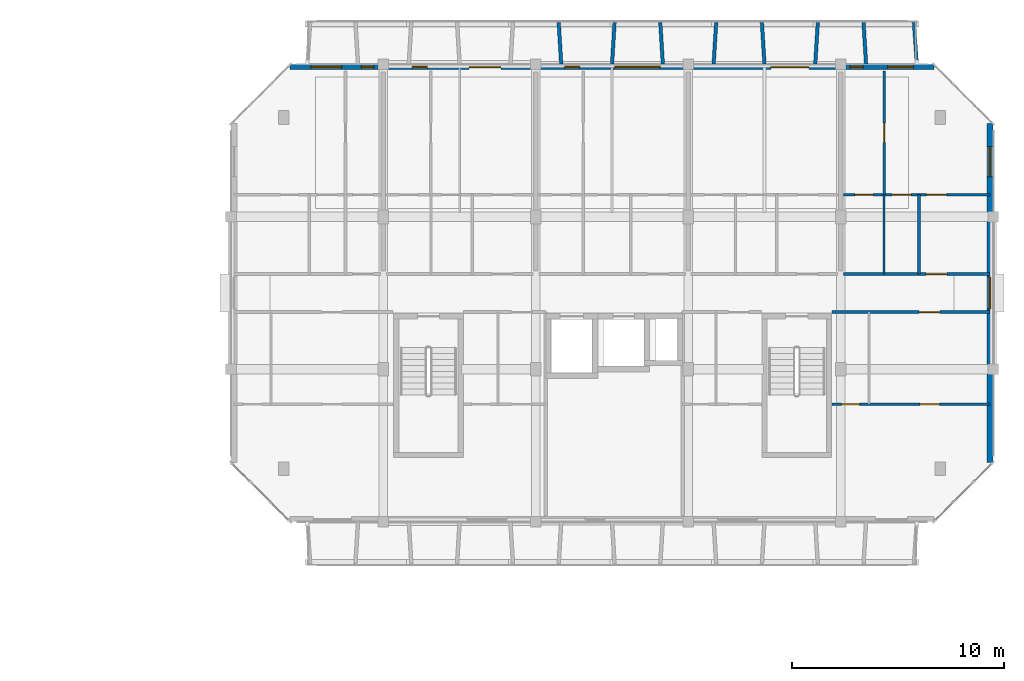
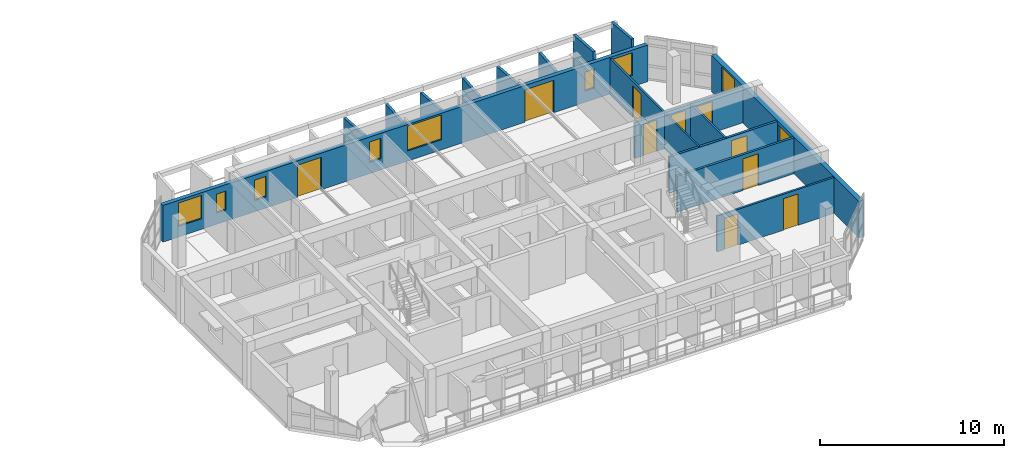
# One storey, part 30 of 46: 17 walls, 10 doors, 9 windows, 19 openings.
"""IFC4 building model written with IfcOpenShell, lengths in metres."""

from ifc_helpers import new_model, si_unit, direction, frame, frame_2d, origin, place, context, subcontext, project, spatial, rectangle, extrude, material, layer, layer_set, type_object, element, fill, save


model = new_model("IFC4")

# Units and contexts
model_context = context("Model", 3, precision=1e-05, world=origin(), true_north=direction((0.0, 1.0)))
body_context = subcontext(model_context, "Body", "Model", "MODEL_VIEW")
ifc_project = project(units=[si_unit("LENGTHUNIT", "METRE"), si_unit("AREAUNIT", "SQUARE_METRE"), si_unit("VOLUMEUNIT", "CUBIC_METRE"), si_unit("PLANEANGLEUNIT", "RADIAN"), si_unit("MASSUNIT", "GRAM", prefix="KILO")], contexts=[model_context])

# Site, building, storey
site_placement = place(None, origin())
site = spatial("IfcSite", under=ifc_project, at=site_placement, CompositionType="ELEMENT")
building_placement = place(site_placement, origin())
building = spatial("IfcBuilding", under=site, at=building_placement, Name="Ochrevale Crest", CompositionType="ELEMENT")
storey_placement = place(building_placement, frame((0.0, 0.0, 24.449951171875)))
storey = spatial("IfcBuildingStorey", under=building, at=storey_placement, Name="L07", CompositionType="ELEMENT", Elevation=24.449951171875)

# Wall, opening, door
ifc_material_1 = material(Name="Gypsum plasterboard", Category="gypsum")
ifc_layer_1 = layer(ifc_material_1, 0.139892578125)
ifc_layer_set_1 = layer_set([ifc_layer_1], Name="Gypsum plasterboard")
wall_type_1 = type_object("IfcWallType", Name="WL-COR-140", PredefinedType="PARTITIONING", material=ifc_layer_set_1)
wall_1_placement = place(storey_placement, frame((158.5400390625, 83.699951171875, 0.0), z_axis=(0.0, 0.0, 1.0), x_axis=(1.0, 0.0, 0.0)))
wall_1 = element("IfcWall", 1, at=wall_1_placement, inside=storey, type_object=wall_type_1, Name="Apartment D-L07-U5 corridor wall", PredefinedType="PARTITIONING", context=body_context, shape_type="SweptSolid", body=[
    extrude(rectangle(XDim=6.919921875, YDim=0.139892578125, at=frame_2d((3.4599609375, 0.0))), origin(), (0.0, 0.0, 1.0), 2.380126953125),
])
opening_1_placement = place(wall_1_placement, frame((3.89501953125, 0.0, 0.0)))
opening_1 = element("IfcOpeningElement", 2, at=opening_1_placement, cuts=wall_1, Name="Opening FD01", PredefinedType="OPENING", context=body_context, shape_type="SweptSolid", body=[
    extrude(rectangle(XDim=0.97998046875, YDim=2.10009765625, at=frame_2d((0.489990234375, 1.050048828125))), frame((0.0, 0.080078125, 0.0), z_axis=(0.0, -1.0, 0.0), x_axis=(1.0, 0.0, 0.0)), (0.0, 0.0, 1.0), 0.159912109375),
])
ifc_material_2 = material(Name="Solid-core FSC hardwood", Category="wood")
door_type_1 = type_object("IfcDoorType", Name="DR-APT-950", OperationType="NOTDEFINED", PredefinedType="DOOR", material=ifc_material_2)
door_1_placement = place(opening_1_placement, origin())
door_1 = element("IfcDoor", 3, at=door_1_placement, inside=storey, type_object=door_type_1, Name="Apartment D-L07-U5 entrance door", OperationType="SINGLE_SWING_LEFT", OverallHeight=2.10009765625, OverallWidth=0.97998046875, PredefinedType="DOOR", context=body_context, shape_type="SweptSolid", body=[
    extrude(rectangle(XDim=0.97998046875, YDim=2.10009765625, at=frame_2d((0.489990234375, 1.050048828125))), frame((0.0, 0.02490234375, 0.0), z_axis=(0.0, -1.0, 0.0), x_axis=(1.0, 0.0, 0.0)), (0.0, 0.0, 1.0), 0.050048828125),
])
fill(opening_1, door_1)

wall_2_placement = place(storey_placement, frame((157.989990234375, 81.89990234375, 0.0), z_axis=(0.0, 0.0, 1.0), x_axis=(1.0, 0.0, 0.0)))
wall_2 = element("IfcWall", 4, at=wall_2_placement, inside=storey, type_object=wall_type_1, Name="Suite D-L07-CE corridor wall", PredefinedType="PARTITIONING", context=body_context, shape_type="SweptSolid", body=[
    extrude(rectangle(XDim=7.469970703125, YDim=0.139892578125, at=frame_2d((3.73486328125, 0.0))), origin(), (0.0, 0.0, 1.0), 2.380126953125),
])
opening_2_placement = place(wall_2_placement, frame((4.1201171875, 0.0, 0.0)))
opening_2 = element("IfcOpeningElement", 5, at=opening_2_placement, cuts=wall_2, Name="Opening FD01", PredefinedType="OPENING", context=body_context, shape_type="SweptSolid", body=[
    extrude(rectangle(XDim=0.97998046875, YDim=2.10009765625, at=frame_2d((0.489990234375, 1.050048828125))), frame((0.0, 0.080078125, 0.0), z_axis=(0.0, -1.0, 0.0), x_axis=(1.0, 0.0, 0.0)), (0.0, 0.0, 1.0), 0.159912109375),
])
door_2_placement = place(opening_2_placement, origin())
door_2 = element("IfcDoor", 6, at=door_2_placement, inside=storey, type_object=door_type_1, Name="Suite D-L07-CE entrance door", OperationType="SINGLE_SWING_LEFT", OverallHeight=2.10009765625, OverallWidth=0.97998046875, PredefinedType="DOOR", context=body_context, shape_type="SweptSolid", body=[
    extrude(rectangle(XDim=0.97998046875, YDim=2.10009765625, at=frame_2d((0.489990234375, 1.050048828125))), frame((0.0, 0.02490234375, 0.0), z_axis=(0.0, -1.0, 0.0), x_axis=(1.0, 0.0, 0.0)), (0.0, 0.0, 1.0), 0.050048828125),
])
fill(opening_2, door_2)

# Wall, openings, windows
ifc_material_3 = material(Name="Clay face brickwork", Category="masonry")
ifc_layer_2 = layer(ifc_material_3, 0.2900390625)
ifc_layer_set_2 = layer_set([ifc_layer_2], Name="Clay face brickwork")
wall_type_2 = type_object("IfcWallType", Name="WL-EXT-BRICK-290", PredefinedType="SOLIDWALL", material=ifc_layer_set_2)
wall_3_placement = place(storey_placement, frame((165.455078125, 74.800048828125, 0.0), z_axis=(0.0, 0.0, 1.0), x_axis=(0.0, 1.0, 0.0)))
wall_3 = element("IfcWall", 7, at=wall_3_placement, inside=storey, type_object=wall_type_2, Name="Block D L07 external facade wall E3", PredefinedType="SOLIDWALL", context=body_context, shape_type="SweptSolid", body=[
    extrude(rectangle(XDim=16.0, YDim=0.2900390625, at=frame_2d((8.0, 0.0))), origin(), (0.0, 0.0, 1.0), 2.429931640625),
])
opening_3_placement = place(wall_3_placement, frame((7.25, 0.0, 1.050048828125)))
opening_3 = element("IfcOpeningElement", 8, at=opening_3_placement, cuts=wall_3, Name="Opening W18", PredefinedType="OPENING", context=body_context, shape_type="SweptSolid", body=[
    extrude(rectangle(XDim=1.5, YDim=1.14990234375, at=frame_2d((0.75, 0.574951171875))), frame((0.0, 0.155029296875, 0.0), z_axis=(0.0, -1.0, 0.0), x_axis=(1.0, 0.0, 0.0)), (0.0, 0.0, 1.0), 0.31005859375),
])
opening_4_placement = place(wall_3_placement, frame((13.5, 0.0, 0.719970703125)))
opening_4 = element("IfcOpeningElement", 9, at=opening_4_placement, cuts=wall_3, Name="Opening W31", PredefinedType="OPENING", context=body_context, shape_type="SweptSolid", body=[
    extrude(rectangle(XDim=1.419921875, YDim=1.60009765625, at=frame_2d((0.7099609375, 0.800048828125))), frame((0.0, 0.155029296875, 0.0), z_axis=(0.0, -1.0, 0.0), x_axis=(1.0, 0.0, 0.0)), (0.0, 0.0, 1.0), 0.31005859375),
])
ifc_material_4 = material(Name="Anodised aluminium 6063-T5 and low-E double glazing", Category="aluminium")
window_type_1 = type_object("IfcWindowType", Name="WIN-W18", PartitioningType="SINGLE_PANEL", PredefinedType="WINDOW", material=ifc_material_4)
window_1_placement = place(opening_3_placement, origin())
window_1 = element("IfcWindow", 10, at=window_1_placement, inside=storey, type_object=window_type_1, Name="Block D L07 corridor end daylight window E", OverallHeight=1.14990234375, OverallWidth=1.5, PartitioningType="SINGLE_PANEL", PredefinedType="WINDOW", context=body_context, shape_type="SweptSolid", body=[
    extrude(rectangle(XDim=1.5, YDim=1.14990234375, at=frame_2d((0.75, 0.574951171875))), frame((0.0, 0.030029296875, 0.0), z_axis=(0.0, -1.0, 0.0), x_axis=(1.0, 0.0, 0.0)), (0.0, 0.0, 1.0), 0.06005859375),
])
fill(opening_3, window_1)
window_type_2 = type_object("IfcWindowType", Name="WIN-W31", PartitioningType="SINGLE_PANEL", PredefinedType="WINDOW", material=ifc_material_4)
window_2_placement = place(opening_4_placement, origin())
window_2 = element("IfcWindow", 11, at=window_2_placement, inside=storey, type_object=window_type_2, Name="Block D L07 side suite window E", OverallHeight=1.60009765625, OverallWidth=1.419921875, PartitioningType="SINGLE_PANEL", PredefinedType="WINDOW", context=body_context, shape_type="SweptSolid", body=[
    extrude(rectangle(XDim=1.419921875, YDim=1.60009765625, at=frame_2d((0.7099609375, 0.800048828125))), frame((0.0, 0.030029296875, 0.0), z_axis=(0.0, -1.0, 0.0), x_axis=(1.0, 0.0, 0.0)), (0.0, 0.0, 1.0), 0.06005859375),
])
fill(opening_4, window_2)

# Wall, openings, doors, windows
ifc_material_5 = material(Name="Precast concrete C40/50", Category="concrete")
ifc_layer_3 = layer(ifc_material_5, 0.25)
ifc_layer_set_3 = layer_set([ifc_layer_3], Name="Precast concrete C40/50")
wall_type_3 = type_object("IfcWallType", Name="WL-EXT-GOLD-250", PredefinedType="SOLIDWALL", material=ifc_layer_set_3)
wall_4_placement = place(storey_placement, frame((162.800048828125, 93.47509765625, 0.0), z_axis=(0.0, 0.0, 1.0), x_axis=(-1.0, 0.0, 0.0)))
wall_4 = element("IfcWall", 12, at=wall_4_placement, inside=storey, type_object=wall_type_3, Name="Block D L07 external facade wall E5", PredefinedType="SOLIDWALL", context=body_context, shape_type="SweptSolid", body=[
    extrude(rectangle(XDim=30.400146484375, YDim=0.25, at=frame_2d((15.2001953125, 0.0))), origin(), (0.0, 0.0, 1.0), 2.429931640625),
])
opening_5_placement = place(wall_4_placement, frame((21.949951171875, 0.0, 0.0), z_axis=(0.0, 0.0, 1.0), x_axis=(-1.0, 0.0, 0.0)))
opening_5 = element("IfcOpeningElement", 13, at=opening_5_placement, cuts=wall_4, Name="Opening BD01", PredefinedType="OPENING", context=body_context, shape_type="SweptSolid", body=[
    extrude(rectangle(XDim=1.5, YDim=2.14990234375, at=frame_2d((0.75, 1.074951171875))), frame((0.0, 0.135009765625, 0.0), z_axis=(0.0, -1.0, 0.0), x_axis=(1.0, 0.0, 0.0)), (0.0, 0.0, 1.0), 0.27001953125),
])
opening_6_placement = place(wall_4_placement, frame((7.699951171875, 0.0, 0.0), z_axis=(0.0, 0.0, 1.0), x_axis=(-1.0, 0.0, 0.0)))
opening_6 = element("IfcOpeningElement", 14, at=opening_6_placement, cuts=wall_4, Name="Opening BD03", PredefinedType="OPENING", context=body_context, shape_type="SweptSolid", body=[
    extrude(rectangle(XDim=1.800048828125, YDim=2.14990234375, at=frame_2d((0.89990234375, 1.074951171875))), frame((0.0, 0.135009765625, 0.0), z_axis=(0.0, -1.0, 0.0), x_axis=(1.0, 0.0, 0.0)), (0.0, 0.0, 1.0), 0.27001953125),
])
opening_7_placement = place(wall_4_placement, frame((27.969970703125, 0.0, 0.699951171875)))
opening_7 = element("IfcOpeningElement", 15, at=opening_7_placement, cuts=wall_4, Name="Opening W08", PredefinedType="OPENING", context=body_context, shape_type="SweptSolid", body=[
    extrude(rectangle(XDim=1.4599609375, YDim=1.550048828125, at=frame_2d((0.72998046875, 0.77490234375))), frame((0.0, 0.135009765625, 0.0), z_axis=(0.0, -1.0, 0.0), x_axis=(1.0, 0.0, 0.0)), (0.0, 0.0, 1.0), 0.27001953125),
])
opening_8_placement = place(wall_4_placement, frame((26.445068359375, 0.0, 0.75)))
opening_8 = element("IfcOpeningElement", 16, at=opening_8_placement, cuts=wall_4, Name="Opening W01", PredefinedType="OPENING", context=body_context, shape_type="SweptSolid", body=[
    extrude(rectangle(XDim=0.60009765625, YDim=1.25, at=frame_2d((0.300048828125, 0.625))), frame((0.0, 0.135009765625, 0.0), z_axis=(0.0, -1.0, 0.0), x_axis=(1.0, 0.0, 0.0)), (0.0, 0.0, 1.0), 0.27001953125),
])
opening_9_placement = place(wall_4_placement, frame((23.925048828125, 0.0, 0.75)))
opening_9 = element("IfcOpeningElement", 17, at=opening_9_placement, cuts=wall_4, Name="Opening W02", PredefinedType="OPENING", context=body_context, shape_type="SweptSolid", body=[
    extrude(rectangle(XDim=0.719970703125, YDim=1.35009765625, at=frame_2d((0.35986328125, 0.675048828125))), frame((0.0, 0.135009765625, 0.0), z_axis=(0.0, -1.0, 0.0), x_axis=(1.0, 0.0, 0.0)), (0.0, 0.0, 1.0), 0.27001953125),
])
opening_10_placement = place(wall_4_placement, frame((16.72509765625, 0.0, 0.75)))
opening_10 = element("IfcOpeningElement", 18, at=opening_10_placement, cuts=wall_4, Name="Opening W02", PredefinedType="OPENING", context=body_context, shape_type="SweptSolid", body=[
    extrude(rectangle(XDim=0.719970703125, YDim=1.35009765625, at=frame_2d((0.35986328125, 0.675048828125))), frame((0.0, 0.135009765625, 0.0), z_axis=(0.0, -1.0, 0.0), x_axis=(1.0, 0.0, 0.0)), (0.0, 0.0, 1.0), 0.27001953125),
])
opening_11_placement = place(wall_4_placement, frame((12.925048828125, 0.0, 0.669921875)))
opening_11 = element("IfcOpeningElement", 19, at=opening_11_placement, cuts=wall_4, Name="Opening W13", PredefinedType="OPENING", context=body_context, shape_type="SweptSolid", body=[
    extrude(rectangle(XDim=2.14990234375, YDim=1.64990234375, at=frame_2d((1.074951171875, 0.824951171875))), frame((0.0, 0.135009765625, 0.0), z_axis=(0.0, -1.0, 0.0), x_axis=(1.0, 0.0, 0.0)), (0.0, 0.0, 1.0), 0.27001953125),
])
opening_12_placement = place(wall_4_placement, frame((3.35498046875, 0.0, 0.75)))
opening_12 = element("IfcOpeningElement", 20, at=opening_12_placement, cuts=wall_4, Name="Opening W01", PredefinedType="OPENING", context=body_context, shape_type="SweptSolid", body=[
    extrude(rectangle(XDim=0.60009765625, YDim=1.25, at=frame_2d((0.300048828125, 0.625))), frame((0.0, 0.135009765625, 0.0), z_axis=(0.0, -1.0, 0.0), x_axis=(1.0, 0.0, 0.0)), (0.0, 0.0, 1.0), 0.27001953125),
])
opening_13_placement = place(wall_4_placement, frame((0.9599609375, 0.0, 0.75)))
opening_13 = element("IfcOpeningElement", 21, at=opening_13_placement, cuts=wall_4, Name="Opening W06", PredefinedType="OPENING", context=body_context, shape_type="SweptSolid", body=[
    extrude(rectangle(XDim=1.219970703125, YDim=1.5, at=frame_2d((0.60986328125, 0.75))), frame((0.0, 0.135009765625, 0.0), z_axis=(0.0, -1.0, 0.0), x_axis=(1.0, 0.0, 0.0)), (0.0, 0.0, 1.0), 0.27001953125),
])
ifc_material_6 = material(Name="Anodised aluminium 6063-T5 and toughened glass", Category="aluminium")
door_type_2 = type_object("IfcDoorType", Name="DR-BAL-1500", OperationType="NOTDEFINED", PredefinedType="DOOR", material=ifc_material_6)
door_3_placement = place(opening_5_placement, origin())
door_3 = element("IfcDoor", 22, at=door_3_placement, inside=storey, type_object=door_type_2, Name="Block D L07 balcony door N2", OperationType="SINGLE_SWING_LEFT", OverallHeight=2.14990234375, OverallWidth=1.5, PredefinedType="DOOR", context=body_context, shape_type="SweptSolid", body=[
    extrude(rectangle(XDim=1.5, YDim=2.14990234375, at=frame_2d((0.75, 1.074951171875))), frame((0.0, 0.02490234375, 0.0), z_axis=(0.0, -1.0, 0.0), x_axis=(1.0, 0.0, 0.0)), (0.0, 0.0, 1.0), 0.050048828125),
])
fill(opening_5, door_3)
door_type_3 = type_object("IfcDoorType", Name="DR-BAL-1800", OperationType="NOTDEFINED", PredefinedType="DOOR", material=ifc_material_6)
door_4_placement = place(opening_6_placement, origin())
door_4 = element("IfcDoor", 23, at=door_4_placement, inside=storey, type_object=door_type_3, Name="Block D L07 balcony door N4", OperationType="SINGLE_SWING_RIGHT", OverallHeight=2.14990234375, OverallWidth=1.800048828125, PredefinedType="DOOR", context=body_context, shape_type="SweptSolid", body=[
    extrude(rectangle(XDim=1.800048828125, YDim=2.14990234375, at=frame_2d((0.89990234375, 1.074951171875))), frame((0.0, 0.02490234375, 0.0), z_axis=(0.0, -1.0, 0.0), x_axis=(1.0, 0.0, 0.0)), (0.0, 0.0, 1.0), 0.050048828125),
])
fill(opening_6, door_4)
window_type_3 = type_object("IfcWindowType", Name="WIN-W01", PartitioningType="SINGLE_PANEL", PredefinedType="WINDOW", material=ifc_material_4)
window_3_placement = place(opening_8_placement, origin())
window_3 = element("IfcWindow", 24, at=window_3_placement, inside=storey, type_object=window_type_3, Name="Block D L07 Apartment D-L07-U1 One Bedroom Living Room window", OverallHeight=1.25, OverallWidth=0.60009765625, PartitioningType="SINGLE_PANEL", PredefinedType="WINDOW", context=body_context, shape_type="SweptSolid", body=[
    extrude(rectangle(XDim=0.60009765625, YDim=1.25, at=frame_2d((0.300048828125, 0.625))), frame((0.0, 0.030029296875, 0.0), z_axis=(0.0, -1.0, 0.0), x_axis=(1.0, 0.0, 0.0)), (0.0, 0.0, 1.0), 0.06005859375),
])
fill(opening_8, window_3)
window_4_placement = place(opening_12_placement, origin())
window_4 = element("IfcWindow", 25, at=window_4_placement, inside=storey, type_object=window_type_3, Name="Block D L07 Apartment D-L07-U5 Master Bedroom window", OverallHeight=1.25, OverallWidth=0.60009765625, PartitioningType="SINGLE_PANEL", PredefinedType="WINDOW", context=body_context, shape_type="SweptSolid", body=[
    extrude(rectangle(XDim=0.60009765625, YDim=1.25, at=frame_2d((0.300048828125, 0.625))), frame((0.0, 0.030029296875, 0.0), z_axis=(0.0, -1.0, 0.0), x_axis=(1.0, 0.0, 0.0)), (0.0, 0.0, 1.0), 0.06005859375),
])
fill(opening_12, window_4)
window_type_4 = type_object("IfcWindowType", Name="WIN-W02", PartitioningType="SINGLE_PANEL", PredefinedType="WINDOW", material=ifc_material_4)
window_5_placement = place(opening_9_placement, origin())
window_5 = element("IfcWindow", 26, at=window_5_placement, inside=storey, type_object=window_type_4, Name="Block D L07 Apartment D-L07-U2 Master Bedroom window", OverallHeight=1.35009765625, OverallWidth=0.719970703125, PartitioningType="SINGLE_PANEL", PredefinedType="WINDOW", context=body_context, shape_type="SweptSolid", body=[
    extrude(rectangle(XDim=0.719970703125, YDim=1.35009765625, at=frame_2d((0.35986328125, 0.675048828125))), frame((0.0, 0.030029296875, 0.0), z_axis=(0.0, -1.0, 0.0), x_axis=(1.0, 0.0, 0.0)), (0.0, 0.0, 1.0), 0.06005859375),
])
fill(opening_9, window_5)
window_6_placement = place(opening_10_placement, origin())
window_6 = element("IfcWindow", 27, at=window_6_placement, inside=storey, type_object=window_type_4, Name="Block D L07 Apartment D-L07-U3 Twin Bedroom window", OverallHeight=1.35009765625, OverallWidth=0.719970703125, PartitioningType="SINGLE_PANEL", PredefinedType="WINDOW", context=body_context, shape_type="SweptSolid", body=[
    extrude(rectangle(XDim=0.719970703125, YDim=1.35009765625, at=frame_2d((0.35986328125, 0.675048828125))), frame((0.0, 0.030029296875, 0.0), z_axis=(0.0, -1.0, 0.0), x_axis=(1.0, 0.0, 0.0)), (0.0, 0.0, 1.0), 0.06005859375),
])
fill(opening_10, window_6)
window_type_5 = type_object("IfcWindowType", Name="WIN-W06", PartitioningType="SINGLE_PANEL", PredefinedType="WINDOW", material=ifc_material_4)
window_7_placement = place(opening_13_placement, origin())
window_7 = element("IfcWindow", 28, at=window_7_placement, inside=storey, type_object=window_type_5, Name="Block D L07 Apartment D-L07-U5 One Bedroom Living Room window", OverallHeight=1.5, OverallWidth=1.219970703125, PartitioningType="SINGLE_PANEL", PredefinedType="WINDOW", context=body_context, shape_type="SweptSolid", body=[
    extrude(rectangle(XDim=1.219970703125, YDim=1.5, at=frame_2d((0.60986328125, 0.75))), frame((0.0, 0.030029296875, 0.0), z_axis=(0.0, -1.0, 0.0), x_axis=(1.0, 0.0, 0.0)), (0.0, 0.0, 1.0), 0.06005859375),
])
fill(opening_13, window_7)
window_type_6 = type_object("IfcWindowType", Name="WIN-W08", PartitioningType="SINGLE_PANEL", PredefinedType="WINDOW", material=ifc_material_4)
window_8_placement = place(opening_7_placement, origin())
window_8 = element("IfcWindow", 29, at=window_8_placement, inside=storey, type_object=window_type_6, Name="Block D L07 Apartment D-L07-U1 Master Bedroom window", OverallHeight=1.550048828125, OverallWidth=1.4599609375, PartitioningType="SINGLE_PANEL", PredefinedType="WINDOW", context=body_context, shape_type="SweptSolid", body=[
    extrude(rectangle(XDim=1.4599609375, YDim=1.550048828125, at=frame_2d((0.72998046875, 0.77490234375))), frame((0.0, 0.030029296875, 0.0), z_axis=(0.0, -1.0, 0.0), x_axis=(1.0, 0.0, 0.0)), (0.0, 0.0, 1.0), 0.06005859375),
])
fill(opening_7, window_8)
window_type_7 = type_object("IfcWindowType", Name="WIN-W13", PartitioningType="SINGLE_PANEL", PredefinedType="WINDOW", material=ifc_material_4)
window_9_placement = place(opening_11_placement, origin())
window_9 = element("IfcWindow", 30, at=window_9_placement, inside=storey, type_object=window_type_7, Name="Block D L07 Apartment D-L07-U3 Three Bedroom Family Living window", OverallHeight=1.64990234375, OverallWidth=2.14990234375, PartitioningType="SINGLE_PANEL", PredefinedType="WINDOW", context=body_context, shape_type="SweptSolid", body=[
    extrude(rectangle(XDim=2.14990234375, YDim=1.64990234375, at=frame_2d((1.074951171875, 0.824951171875))), frame((0.0, 0.030029296875, 0.0), z_axis=(0.0, -1.0, 0.0), x_axis=(1.0, 0.0, 0.0)), (0.0, 0.0, 1.0), 0.06005859375),
])
fill(opening_11, window_9)

# Walls
ifc_layer_4 = layer(ifc_material_5, 0.1650390625)
ifc_layer_set_4 = layer_set([ifc_layer_4], Name="Precast concrete C40/50")
wall_type_4 = type_object("IfcWallType", Name="WL-HC-CHEEK-165", PredefinedType="ELEMENTEDWALL", material=ifc_layer_set_4)
for number, where, z_axis, x_axis, name in (
    (31, (145.199951171875, 93.6201171875, 0.0), (0.0, 0.0, 1.0), (-0.061046865508, 0.998134900808, 0.0), "Block D L07 N precast honeycomb cheek 6"),
    (32, (147.60009765625, 93.6201171875, 0.0), (0.0, 0.0, 1.0), (0.061046865508, 0.998134900808, 0.0), "Block D L07 N precast honeycomb cheek 7"),
    (33, (150.0, 93.6201171875, 0.0), (0.0, 0.0, 1.0), (-0.061170732449, 0.998127317276, 0.0), "Block D L07 N precast honeycomb cheek 8"),
):
    element("IfcWall", number, at=place(storey_placement, frame(where, z_axis=z_axis, x_axis=x_axis)), inside=storey, type_object=wall_type_4, Name=name, PredefinedType="ELEMENTEDWALL", context=body_context, shape_type="SweptSolid", body=[
        extrude(rectangle(XDim=1.963623046875, YDim=0.1650390625, at=frame_2d((0.98193359375, 0.0))), origin(), (0.0, 0.0, 1.0), 2.47998046875),
    ])
for number, where, z_axis, x_axis, name in (
    (34, (152.39990234375, 93.6201171875, 0.0), (0.0, 0.0, 1.0), (0.061170732449, 0.998127317276, 0.0), "Block D L07 N precast honeycomb cheek 9"),
    (35, (154.800048828125, 93.6201171875, 0.0), (0.0, 0.0, 1.0), (-0.061170732449, 0.998127317276, 0.0), "Block D L07 N precast honeycomb cheek 10"),
    (36, (157.199951171875, 93.6201171875, 0.0), (0.0, 0.0, 1.0), (0.061170732449, 0.998127317276, 0.0), "Block D L07 N precast honeycomb cheek 11"),
):
    element("IfcWall", number, at=place(storey_placement, frame(where, z_axis=z_axis, x_axis=x_axis)), inside=storey, type_object=wall_type_4, Name=name, PredefinedType="ELEMENTEDWALL", context=body_context, shape_type="SweptSolid", body=[
        extrude(rectangle(XDim=1.963623046875, YDim=0.1650390625, at=frame_2d((0.98193359375, 0.0))), origin(), (0.0, 0.0, 1.0), 2.530029296875),
    ])
wall_5_placement = place(storey_placement, frame((159.60009765625, 93.6201171875, 0.0), z_axis=(0.0, 0.0, 1.0), x_axis=(-0.061170732449, 0.998127317276, 0.0)))
element("IfcWall", 37, at=wall_5_placement, inside=storey, type_object=wall_type_4, Name="Block D L07 N precast honeycomb cheek 12", PredefinedType="ELEMENTEDWALL", context=body_context, shape_type="SweptSolid", body=[
    extrude(rectangle(XDim=1.963623046875, YDim=0.1650390625, at=frame_2d((0.98193359375, 0.0))), origin(), (0.0, 0.0, 1.0), 2.949951171875),
])
wall_6_placement = place(storey_placement, frame((162.0, 93.6201171875, 0.0), z_axis=(0.0, 0.0, 1.0), x_axis=(-0.071194071069, 0.997462482625, 0.0)))
element("IfcWall", 38, at=wall_6_placement, inside=storey, type_object=wall_type_4, Name="Block D L07 N precast honeycomb cheek 13", PredefinedType="ELEMENTEDWALL", context=body_context, shape_type="SweptSolid", body=[
    extrude(rectangle(XDim=1.96484375, YDim=0.1650390625, at=frame_2d((0.982421875, 0.0))), origin(), (0.0, 0.0, 1.0), 2.949951171875),
])
ifc_layer_5 = layer(ifc_material_1, 0.1201171875)
ifc_layer_set_5 = layer_set([ifc_layer_5], Name="Gypsum plasterboard")
wall_type_5 = type_object("IfcWallType", Name="WL-PART-120", PredefinedType="PARTITIONING", material=ifc_layer_set_5)
wall_7_placement = place(storey_placement, frame((162.10009765625, 83.699951171875, 0.0), z_axis=(0.0, 0.0, 1.0), x_axis=(0.0, 1.0, 0.0)))
element("IfcWall", 39, at=wall_7_placement, inside=storey, type_object=wall_type_5, Name="Apartment D-L07-U5 kitchen-foyer wall", PredefinedType="PARTITIONING", context=body_context, shape_type="SweptSolid", body=[
    extrude(rectangle(XDim=3.75, YDim=0.1201171875, at=frame_2d((1.875, 0.0))), origin(), (0.0, 0.0, 1.0), 2.380126953125),
])

# Wall, openings, doors
wall_8_placement = place(storey_placement, frame((158.5400390625, 87.449951171875, 0.0), z_axis=(0.0, 0.0, 1.0), x_axis=(1.0, 0.0, 0.0)))
wall_8 = element("IfcWall", 40, at=wall_8_placement, inside=storey, type_object=wall_type_5, Name="Apartment D-L07-U5 central partition", PredefinedType="PARTITIONING", context=body_context, shape_type="SweptSolid", body=[
    extrude(rectangle(XDim=6.919921875, YDim=0.1201171875, at=frame_2d((3.4599609375, 0.0))), origin(), (0.0, 0.0, 1.0), 2.380126953125),
])
opening_14_placement = place(wall_8_placement, frame((1.380126953125, 0.0, 0.0), z_axis=(0.0, 0.0, 1.0), x_axis=(-1.0, 0.0, 0.0)))
opening_14 = element("IfcOpeningElement", 41, at=opening_14_placement, cuts=wall_8, Name="Opening ID01", PredefinedType="OPENING", context=body_context, shape_type="SweptSolid", body=[
    extrude(rectangle(XDim=0.85009765625, YDim=2.080078125, at=frame_2d((0.425048828125, 1.0400390625))), frame((0.0, 0.070068359375, 0.0), z_axis=(0.0, -1.0, 0.0), x_axis=(1.0, 0.0, 0.0)), (0.0, 0.0, 1.0), 0.14013671875),
])
opening_15_placement = place(wall_8_placement, frame((2.284912109375, 0.0, 0.0)))
opening_15 = element("IfcOpeningElement", 42, at=opening_15_placement, cuts=wall_8, Name="Opening ID02", PredefinedType="OPENING", context=body_context, shape_type="SweptSolid", body=[
    extrude(rectangle(XDim=0.89990234375, YDim=2.080078125, at=frame_2d((0.449951171875, 1.0400390625))), frame((0.0, 0.070068359375, 0.0), z_axis=(0.0, -1.0, 0.0), x_axis=(1.0, 0.0, 0.0)), (0.0, 0.0, 1.0), 0.14013671875),
])
opening_16_placement = place(wall_8_placement, frame((4.85986328125, 0.0, 0.0), z_axis=(0.0, 0.0, 1.0), x_axis=(-1.0, 0.0, 0.0)))
opening_16 = element("IfcOpeningElement", 43, at=opening_16_placement, cuts=wall_8, Name="Opening ID06", PredefinedType="OPENING", context=body_context, shape_type="SweptSolid", body=[
    extrude(rectangle(XDim=0.949951171875, YDim=2.080078125, at=frame_2d((0.47509765625, 1.0400390625))), frame((0.0, 0.070068359375, 0.0), z_axis=(0.0, -1.0, 0.0), x_axis=(1.0, 0.0, 0.0)), (0.0, 0.0, 1.0), 0.14013671875),
])
door_type_4 = type_object("IfcDoorType", Name="DR-INT-900", OperationType="NOTDEFINED", PredefinedType="DOOR", material=ifc_material_2)
door_5_placement = place(opening_15_placement, origin())
door_5 = element("IfcDoor", 44, at=door_5_placement, inside=storey, type_object=door_type_4, Name="Apartment D-L07-U5 Kitchen door", OperationType="SINGLE_SWING_LEFT", OverallHeight=2.080078125, OverallWidth=0.89990234375, PredefinedType="DOOR", context=body_context, shape_type="SweptSolid", body=[
    extrude(rectangle(XDim=0.89990234375, YDim=2.080078125, at=frame_2d((0.449951171875, 1.0400390625))), frame((0.0, 0.02490234375, 0.0), z_axis=(0.0, -1.0, 0.0), x_axis=(1.0, 0.0, 0.0)), (0.0, 0.0, 1.0), 0.050048828125),
])
fill(opening_15, door_5)
door_type_5 = type_object("IfcDoorType", Name="DR-INT-950", OperationType="NOTDEFINED", PredefinedType="DOOR", material=ifc_material_2)
door_6_placement = place(opening_16_placement, origin())
door_6 = element("IfcDoor", 45, at=door_6_placement, inside=storey, type_object=door_type_5, Name="Apartment D-L07-U5 Living Foyer door", OperationType="SINGLE_SWING_RIGHT", OverallHeight=2.080078125, OverallWidth=0.949951171875, PredefinedType="DOOR", context=body_context, shape_type="SweptSolid", body=[
    extrude(rectangle(XDim=0.949951171875, YDim=2.080078125, at=frame_2d((0.47509765625, 1.0400390625))), frame((0.0, 0.02490234375, 0.0), z_axis=(0.0, -1.0, 0.0), x_axis=(1.0, 0.0, 0.0)), (0.0, 0.0, 1.0), 0.050048828125),
])
fill(opening_16, door_6)
door_type_6 = type_object("IfcDoorType", Name="DR-WC-850", OperationType="NOTDEFINED", PredefinedType="DOOR", material=ifc_material_2)
door_7_placement = place(opening_14_placement, origin())
door_7 = element("IfcDoor", 46, at=door_7_placement, inside=storey, type_object=door_type_6, Name="Apartment D-L07-U5 Bathroom door", OperationType="SINGLE_SWING_RIGHT", OverallHeight=2.080078125, OverallWidth=0.85009765625, PredefinedType="DOOR", context=body_context, shape_type="SweptSolid", body=[
    extrude(rectangle(XDim=0.85009765625, YDim=2.080078125, at=frame_2d((0.425048828125, 1.0400390625))), frame((0.0, 0.02490234375, 0.0), z_axis=(0.0, -1.0, 0.0), x_axis=(1.0, 0.0, 0.0)), (0.0, 0.0, 1.0), 0.050048828125),
])
fill(opening_14, door_7)

# Wall, opening, door
wall_9_placement = place(storey_placement, frame((160.449951171875, 87.449951171875, 0.0), z_axis=(0.0, 0.0, 1.0), x_axis=(0.0, 1.0, 0.0)))
wall_9 = element("IfcWall", 47, at=wall_9_placement, inside=storey, type_object=wall_type_5, Name="Apartment D-L07-U5 bedroom partition", PredefinedType="PARTITIONING", context=body_context, shape_type="SweptSolid", body=[
    extrude(rectangle(XDim=5.85009765625, YDim=0.1201171875, at=frame_2d((2.925048828125, 0.0))), origin(), (0.0, 0.0, 1.0), 2.380126953125),
])
opening_17_placement = place(wall_9_placement, frame((2.47509765625, 0.0, 0.0)))
opening_17 = element("IfcOpeningElement", 48, at=opening_17_placement, cuts=wall_9, Name="Opening ID02", PredefinedType="OPENING", context=body_context, shape_type="SweptSolid", body=[
    extrude(rectangle(XDim=0.89990234375, YDim=2.080078125, at=frame_2d((0.449951171875, 1.0400390625))), frame((0.0, 0.070068359375, 0.0), z_axis=(0.0, -1.0, 0.0), x_axis=(1.0, 0.0, 0.0)), (0.0, 0.0, 1.0), 0.14013671875),
])
door_8_placement = place(opening_17_placement, origin())
door_8 = element("IfcDoor", 49, at=door_8_placement, inside=storey, type_object=door_type_4, Name="Apartment D-L07-U5 Master Bedroom door", OperationType="SINGLE_SWING_LEFT", OverallHeight=2.080078125, OverallWidth=0.89990234375, PredefinedType="DOOR", context=body_context, shape_type="SweptSolid", body=[
    extrude(rectangle(XDim=0.89990234375, YDim=2.080078125, at=frame_2d((0.449951171875, 1.0400390625))), frame((0.0, 0.02490234375, 0.0), z_axis=(0.0, -1.0, 0.0), x_axis=(1.0, 0.0, 0.0)), (0.0, 0.0, 1.0), 0.050048828125),
])
fill(opening_17, door_8)

# Wall, openings, doors
wall_10_placement = place(storey_placement, frame((157.989990234375, 77.550048828125, 0.0), z_axis=(0.0, 0.0, 1.0), x_axis=(1.0, 0.0, 0.0)))
wall_10 = element("IfcWall", 50, at=wall_10_placement, inside=storey, type_object=wall_type_5, Name="Suite D-L07-CE internal wall", PredefinedType="PARTITIONING", context=body_context, shape_type="SweptSolid", body=[
    extrude(rectangle(XDim=7.469970703125, YDim=0.1201171875, at=frame_2d((3.73486328125, 0.0))), origin(), (0.0, 0.0, 1.0), 2.380126953125),
])
opening_18_placement = place(wall_10_placement, frame((1.300048828125, 0.0, 0.0), z_axis=(0.0, 0.0, 1.0), x_axis=(-1.0, 0.0, 0.0)))
opening_18 = element("IfcOpeningElement", 51, at=opening_18_placement, cuts=wall_10, Name="Opening ID01", PredefinedType="OPENING", context=body_context, shape_type="SweptSolid", body=[
    extrude(rectangle(XDim=0.85009765625, YDim=2.080078125, at=frame_2d((0.425048828125, 1.0400390625))), frame((0.0, 0.070068359375, 0.0), z_axis=(0.0, -1.0, 0.0), x_axis=(1.0, 0.0, 0.0)), (0.0, 0.0, 1.0), 0.14013671875),
])
opening_19_placement = place(wall_10_placement, frame((4.14990234375, 0.0, 0.0)))
opening_19 = element("IfcOpeningElement", 52, at=opening_19_placement, cuts=wall_10, Name="Opening ID04", PredefinedType="OPENING", context=body_context, shape_type="SweptSolid", body=[
    extrude(rectangle(XDim=0.919921875, YDim=2.080078125, at=frame_2d((0.4599609375, 1.0400390625))), frame((0.0, 0.070068359375, 0.0), z_axis=(0.0, -1.0, 0.0), x_axis=(1.0, 0.0, 0.0)), (0.0, 0.0, 1.0), 0.14013671875),
])
door_type_7 = type_object("IfcDoorType", Name="DR-INT-920", OperationType="NOTDEFINED", PredefinedType="DOOR", material=ifc_material_2)
door_9_placement = place(opening_19_placement, origin())
door_9 = element("IfcDoor", 53, at=door_9_placement, inside=storey, type_object=door_type_7, Name="Suite D-L07-CE Master Bedroom door", OperationType="SINGLE_SWING_LEFT", OverallHeight=2.080078125, OverallWidth=0.919921875, PredefinedType="DOOR", context=body_context, shape_type="SweptSolid", body=[
    extrude(rectangle(XDim=0.919921875, YDim=2.080078125, at=frame_2d((0.4599609375, 1.0400390625))), frame((0.0, 0.02490234375, 0.0), z_axis=(0.0, -1.0, 0.0), x_axis=(1.0, 0.0, 0.0)), (0.0, 0.0, 1.0), 0.050048828125),
])
fill(opening_19, door_9)
door_10_placement = place(opening_18_placement, origin())
door_10 = element("IfcDoor", 54, at=door_10_placement, inside=storey, type_object=door_type_6, Name="Suite D-L07-CE Bathroom door", OperationType="SINGLE_SWING_RIGHT", OverallHeight=2.080078125, OverallWidth=0.85009765625, PredefinedType="DOOR", context=body_context, shape_type="SweptSolid", body=[
    extrude(rectangle(XDim=0.85009765625, YDim=2.080078125, at=frame_2d((0.425048828125, 1.0400390625))), frame((0.0, 0.02490234375, 0.0), z_axis=(0.0, -1.0, 0.0), x_axis=(1.0, 0.0, 0.0)), (0.0, 0.0, 1.0), 0.050048828125),
])
fill(opening_18, door_10)

# Wall
ifc_layer_6 = layer(ifc_material_1, 0.10009765625)
ifc_layer_set_6 = layer_set([ifc_layer_6], Name="Gypsum plasterboard")
wall_type_6 = type_object("IfcWallType", Name="WL-WET-100", PredefinedType="PARTITIONING", material=ifc_layer_set_6)
wall_11_placement = place(storey_placement, frame((160.449951171875, 83.699951171875, 0.0), z_axis=(0.0, 0.0, 1.0), x_axis=(0.0, 1.0, 0.0)))
element("IfcWall", 55, at=wall_11_placement, inside=storey, type_object=wall_type_6, Name="Apartment D-L07-U5 bath-kitchen wall", PredefinedType="PARTITIONING", context=body_context, shape_type="SweptSolid", body=[
    extrude(rectangle(XDim=3.75, YDim=0.10009765625, at=frame_2d((1.875, 0.0))), origin(), (0.0, 0.0, 1.0), 2.380126953125),
])

save(model, "model.ifc")
